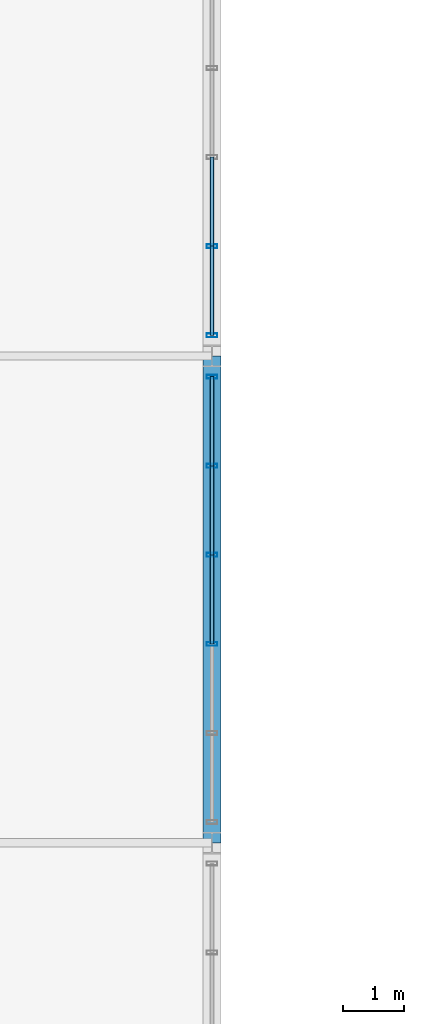
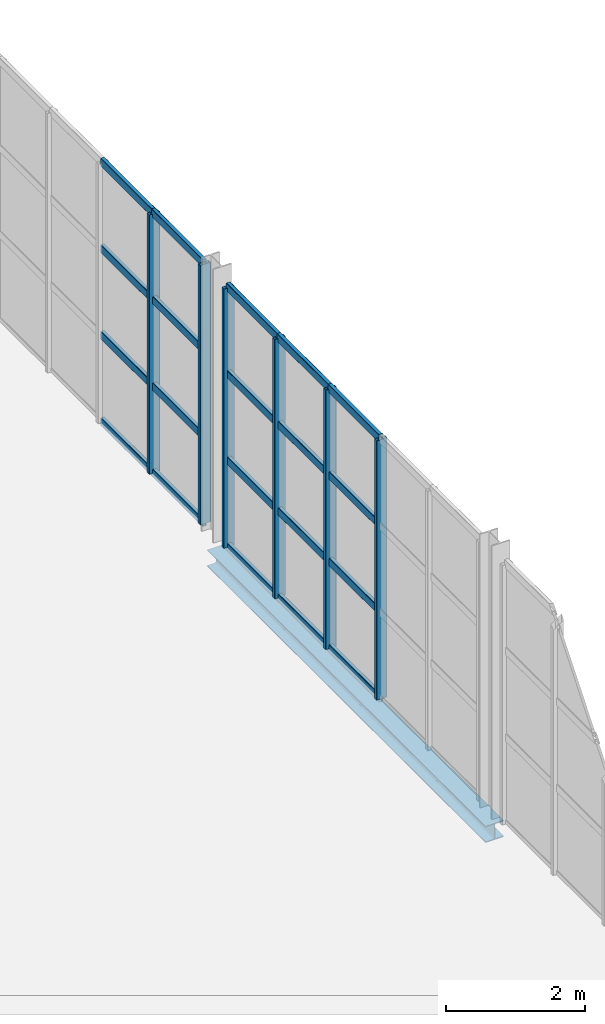
# One storey, part 67 of 143: 26 members, 1 beam, 2 elements without a shape of their own.
"""IFC4 building model written with IfcOpenShell, lengths in metres."""

from ifc_helpers import new_model, si_unit, derived_unit, direction, frame, origin, origin_2d, place, context, subcontext, project, spatial, hollow_rectangle, i_section, extrude, material, material_profile, profile_set, type_object, element, aggregate, save


model = new_model("IFC4")

# Units and contexts
model_context = context("Model", 3, precision=1e-05, world=origin(), true_north=direction((0.0, 1.0)))
body_context = subcontext(model_context, "Body", "Model", "MODEL_VIEW")
ifc_project = project(units=[si_unit("LENGTHUNIT", "METRE"), si_unit("AREAUNIT", "SQUARE_METRE"), si_unit("VOLUMEUNIT", "CUBIC_METRE"), si_unit("PLANEANGLEUNIT", "RADIAN"), si_unit("MASSUNIT", "GRAM", prefix="KILO"), derived_unit("THERMALTRANSMITTANCEUNIT", [(si_unit("POWERUNIT", "WATT"), 1), (si_unit("LENGTHUNIT", "METRE"), -2), (si_unit("THERMODYNAMICTEMPERATUREUNIT", "KELVIN"), -1)])], contexts=[model_context])

# Site, building, storey
site_placement = place(None, origin())
site = spatial("IfcSite", under=ifc_project, at=site_placement, CompositionType="ELEMENT")
building_placement = place(site_placement, origin())
building = spatial("IfcBuilding", under=site, at=building_placement, Name="Keldorne Ridge Multi-Sports Centre", CompositionType="ELEMENT")
storey_placement = place(building_placement, frame((0.0, 0.0, 4.800048828125)))
storey = spatial("IfcBuildingStorey", under=building, at=storey_placement, Name="L01", CompositionType="ELEMENT", Elevation=4.800048828125)

# Beam
ifc_material_1 = material(Name="Steel S355", Category="steel")
ifc_material_profile_1 = material_profile(ifc_material_1, i_section(OverallWidth=0.300048828125, OverallDepth=0.2900390625, WebThickness=0.008544921875, FlangeThickness=0.013916015625, FilletRadius=0.027099609375, at=origin_2d()), Name="HEA 300")
ifc_profile_set_1 = profile_set([ifc_material_profile_1], Name="Steel S355")
beam_type = type_object("IfcBeamType", Name="BM-SP-04", PredefinedType="SPANDREL", material=ifc_profile_set_1)
beam_placement = place(storey_placement, frame((42.0, 98.0, -0.3701171875), z_axis=(0.0, 1.0, 0.0), x_axis=(-1.0, 0.0, 0.0)))
element("IfcBeam", 1, at=beam_placement, inside=storey, type_object=beam_type, Name="Climbing east spandrel L01.4", PredefinedType="SPANDREL", context=body_context, shape_type="SweptSolid", body=[
    extrude(i_section(OverallWidth=0.300048828125, OverallDepth=0.2900390625, WebThickness=0.008544921875, FlangeThickness=0.013916015625, FilletRadius=0.027099609375, at=origin_2d()), origin(), (0.0, 0.0, 1.0), 8.0),
])

# Curtain wall, members
ifc_material_2 = material(Name="Anodized aluminium", Category="aluminium")
curtain_wall_type_1 = type_object("IfcCurtainWallType", Name="CW-CW-04", PredefinedType="NOTDEFINED", material=ifc_material_2)
curtain_wall_1_placement = place(storey_placement, origin())
curtain_wall_1 = element("IfcCurtainWall", 2, at=curtain_wall_1_placement, inside=storey, type_object=curtain_wall_type_1, Name="Climbing east courtyard glazing L01 068", PredefinedType="NOTDEFINED")
ifc_material_profile_2 = material_profile(ifc_material_2, hollow_rectangle(XDim=0.06494140625, YDim=0.179931640625, WallThickness=0.00439453125, InnerFilletRadius=0.00439453125, OuterFilletRadius=0.009033203125, at=origin_2d()), Name="ALU MULLION 180x65x4.5")
ifc_profile_set_2 = profile_set([ifc_material_profile_2], Name="Anodized aluminium")
member_type_1 = type_object("IfcMemberType", Name="MEM-ML-01", PredefinedType="MULLION", material=ifc_profile_set_2)
member_1_placement = place(storey_placement, frame((42.0, 101.26806640625, 0.0), z_axis=(0.0, 0.0, 1.0), x_axis=(0.0, 1.0, 0.0)))
member_1 = element("IfcMember", 3, at=member_1_placement, type_object=member_type_1, Name="CW-068 vertical mullion 3", PredefinedType="MULLION", context=body_context, shape_type="SweptSolid", body=[
    extrude(hollow_rectangle(XDim=0.06494140625, YDim=0.179931640625, WallThickness=0.00439453125, InnerFilletRadius=0.00439453125, OuterFilletRadius=0.009033203125, at=origin_2d()), origin(), (0.0, 0.0, 1.0), 4.550048828125),
])
member_2_placement = place(storey_placement, frame((42.0, 102.73193359375, 0.0), z_axis=(0.0, 0.0, 1.0), x_axis=(0.0, 1.0, 0.0)))
member_2 = element("IfcMember", 4, at=member_2_placement, type_object=member_type_1, Name="CW-068 vertical mullion 4", PredefinedType="MULLION", context=body_context, shape_type="SweptSolid", body=[
    extrude(hollow_rectangle(XDim=0.06494140625, YDim=0.179931640625, WallThickness=0.00439453125, InnerFilletRadius=0.00439453125, OuterFilletRadius=0.009033203125, at=origin_2d()), origin(), (0.0, 0.0, 1.0), 4.550048828125),
])
member_3_placement = place(storey_placement, frame((42.0, 104.196044921875, 0.0), z_axis=(0.0, 0.0, 1.0), x_axis=(0.0, 1.0, 0.0)))
member_3 = element("IfcMember", 5, at=member_3_placement, type_object=member_type_1, Name="CW-068 vertical mullion 5", PredefinedType="MULLION", context=body_context, shape_type="SweptSolid", body=[
    extrude(hollow_rectangle(XDim=0.06494140625, YDim=0.179931640625, WallThickness=0.00439453125, InnerFilletRadius=0.00439453125, OuterFilletRadius=0.009033203125, at=origin_2d()), origin(), (0.0, 0.0, 1.0), 4.550048828125),
])
member_4_placement = place(storey_placement, frame((42.0, 105.659912109375, 0.0), z_axis=(0.0, 0.0, 1.0), x_axis=(0.0, 1.0, 0.0)))
member_4 = element("IfcMember", 6, at=member_4_placement, type_object=member_type_1, Name="CW-068 vertical mullion 6", PredefinedType="MULLION", context=body_context, shape_type="SweptSolid", body=[
    extrude(hollow_rectangle(XDim=0.06494140625, YDim=0.179931640625, WallThickness=0.00439453125, InnerFilletRadius=0.00439453125, OuterFilletRadius=0.009033203125, at=origin_2d()), origin(), (0.0, 0.0, 1.0), 4.550048828125),
])

curtain_wall_type_2 = type_object("IfcCurtainWallType", Name="CW-CW-07", PredefinedType="NOTDEFINED", material=ifc_material_2)
curtain_wall_2_placement = place(storey_placement, origin())
curtain_wall_2 = element("IfcCurtainWall", 7, at=curtain_wall_2_placement, inside=storey, type_object=curtain_wall_type_2, Name="Climbing east courtyard glazing L01 071", PredefinedType="NOTDEFINED")
member_5_placement = place(storey_placement, frame((42.0, 106.340087890625, 0.0), z_axis=(0.0, 0.0, 1.0), x_axis=(0.0, 1.0, 0.0)))
member_5 = element("IfcMember", 8, at=member_5_placement, type_object=member_type_1, Name="CW-071 vertical mullion 1", PredefinedType="MULLION", context=body_context, shape_type="SweptSolid", body=[
    extrude(hollow_rectangle(XDim=0.06494140625, YDim=0.179931640625, WallThickness=0.00439453125, InnerFilletRadius=0.00439453125, OuterFilletRadius=0.009033203125, at=origin_2d()), origin(), (0.0, 0.0, 1.0), 4.550048828125),
])
member_6_placement = place(storey_placement, frame((42.0, 107.803955078125, 0.0), z_axis=(0.0, 0.0, 1.0), x_axis=(0.0, 1.0, 0.0)))
member_6 = element("IfcMember", 9, at=member_6_placement, type_object=member_type_1, Name="CW-071 vertical mullion 2", PredefinedType="MULLION", context=body_context, shape_type="SweptSolid", body=[
    extrude(hollow_rectangle(XDim=0.06494140625, YDim=0.179931640625, WallThickness=0.00439453125, InnerFilletRadius=0.00439453125, OuterFilletRadius=0.009033203125, at=origin_2d()), origin(), (0.0, 0.0, 1.0), 4.550048828125),
])

# Member
ifc_material_profile_3 = material_profile(ifc_material_2, hollow_rectangle(XDim=0.06494140625, YDim=0.139892578125, WallThickness=0.00439453125, InnerFilletRadius=0.00439453125, OuterFilletRadius=0.009033203125, at=origin_2d()), Name="ALU TRANSOM 140x65x4.5")
ifc_profile_set_3 = profile_set([ifc_material_profile_3], Name="Anodized aluminium")
member_type_2 = type_object("IfcMemberType", Name="MEM-TR-01", PredefinedType="USERDEFINED", material=ifc_profile_set_3)
member_7_placement = place(storey_placement, frame((42.0, 101.26806640625, 0.0), z_axis=(0.0, 1.0, 0.0), x_axis=(-1.0, 0.0, 0.0)))
member_7 = element("IfcMember", 10, at=member_7_placement, type_object=member_type_2, Name="CW-068 transom 3.1", ObjectType="TRANSOM", PredefinedType="USERDEFINED", context=body_context, shape_type="SweptSolid", body=[
    extrude(hollow_rectangle(XDim=0.06494140625, YDim=0.139892578125, WallThickness=0.00439453125, InnerFilletRadius=0.00439453125, OuterFilletRadius=0.009033203125, at=origin_2d()), origin(), (0.0, 0.0, 1.0), 1.4638671875),
])

member_8_placement = place(storey_placement, frame((42.0, 101.26806640625, 1.5166015625), z_axis=(0.0, 1.0, 0.0), x_axis=(-1.0, 0.0, 0.0)))
member_8 = element("IfcMember", 11, at=member_8_placement, type_object=member_type_2, Name="CW-068 transom 3.2", ObjectType="TRANSOM", PredefinedType="USERDEFINED", context=body_context, shape_type="SweptSolid", body=[
    extrude(hollow_rectangle(XDim=0.06494140625, YDim=0.139892578125, WallThickness=0.00439453125, InnerFilletRadius=0.00439453125, OuterFilletRadius=0.009033203125, at=origin_2d()), origin(), (0.0, 0.0, 1.0), 1.4638671875),
])

member_9_placement = place(storey_placement, frame((42.0, 101.26806640625, 3.033203125), z_axis=(0.0, 1.0, 0.0), x_axis=(-1.0, 0.0, 0.0)))
member_9 = element("IfcMember", 12, at=member_9_placement, type_object=member_type_2, Name="CW-068 transom 3.3", ObjectType="TRANSOM", PredefinedType="USERDEFINED", context=body_context, shape_type="SweptSolid", body=[
    extrude(hollow_rectangle(XDim=0.06494140625, YDim=0.139892578125, WallThickness=0.00439453125, InnerFilletRadius=0.00439453125, OuterFilletRadius=0.009033203125, at=origin_2d()), origin(), (0.0, 0.0, 1.0), 1.4638671875),
])

member_10_placement = place(storey_placement, frame((42.0, 101.26806640625, 4.550048828125), z_axis=(0.0, 1.0, 0.0), x_axis=(-1.0, 0.0, 0.0)))
member_10 = element("IfcMember", 13, at=member_10_placement, type_object=member_type_2, Name="CW-068 transom 3.4", ObjectType="TRANSOM", PredefinedType="USERDEFINED", context=body_context, shape_type="SweptSolid", body=[
    extrude(hollow_rectangle(XDim=0.06494140625, YDim=0.139892578125, WallThickness=0.00439453125, InnerFilletRadius=0.00439453125, OuterFilletRadius=0.009033203125, at=origin_2d()), origin(), (0.0, 0.0, 1.0), 1.4638671875),
])

member_11_placement = place(storey_placement, frame((42.0, 102.73193359375, 0.0), z_axis=(0.0, 1.0, 0.0), x_axis=(-1.0, 0.0, 0.0)))
member_11 = element("IfcMember", 14, at=member_11_placement, type_object=member_type_2, Name="CW-068 transom 4.1", ObjectType="TRANSOM", PredefinedType="USERDEFINED", context=body_context, shape_type="SweptSolid", body=[
    extrude(hollow_rectangle(XDim=0.06494140625, YDim=0.139892578125, WallThickness=0.00439453125, InnerFilletRadius=0.00439453125, OuterFilletRadius=0.009033203125, at=origin_2d()), origin(), (0.0, 0.0, 1.0), 1.464111328125),
])

member_12_placement = place(storey_placement, frame((42.0, 102.73193359375, 1.5166015625), z_axis=(0.0, 1.0, 0.0), x_axis=(-1.0, 0.0, 0.0)))
member_12 = element("IfcMember", 15, at=member_12_placement, type_object=member_type_2, Name="CW-068 transom 4.2", ObjectType="TRANSOM", PredefinedType="USERDEFINED", context=body_context, shape_type="SweptSolid", body=[
    extrude(hollow_rectangle(XDim=0.06494140625, YDim=0.139892578125, WallThickness=0.00439453125, InnerFilletRadius=0.00439453125, OuterFilletRadius=0.009033203125, at=origin_2d()), origin(), (0.0, 0.0, 1.0), 1.464111328125),
])

member_13_placement = place(storey_placement, frame((42.0, 102.73193359375, 3.033203125), z_axis=(0.0, 1.0, 0.0), x_axis=(-1.0, 0.0, 0.0)))
member_13 = element("IfcMember", 16, at=member_13_placement, type_object=member_type_2, Name="CW-068 transom 4.3", ObjectType="TRANSOM", PredefinedType="USERDEFINED", context=body_context, shape_type="SweptSolid", body=[
    extrude(hollow_rectangle(XDim=0.06494140625, YDim=0.139892578125, WallThickness=0.00439453125, InnerFilletRadius=0.00439453125, OuterFilletRadius=0.009033203125, at=origin_2d()), origin(), (0.0, 0.0, 1.0), 1.464111328125),
])

member_14_placement = place(storey_placement, frame((42.0, 102.73193359375, 4.550048828125), z_axis=(0.0, 1.0, 0.0), x_axis=(-1.0, 0.0, 0.0)))
member_14 = element("IfcMember", 17, at=member_14_placement, type_object=member_type_2, Name="CW-068 transom 4.4", ObjectType="TRANSOM", PredefinedType="USERDEFINED", context=body_context, shape_type="SweptSolid", body=[
    extrude(hollow_rectangle(XDim=0.06494140625, YDim=0.139892578125, WallThickness=0.00439453125, InnerFilletRadius=0.00439453125, OuterFilletRadius=0.009033203125, at=origin_2d()), origin(), (0.0, 0.0, 1.0), 1.464111328125),
])

member_15_placement = place(storey_placement, frame((42.0, 104.196044921875, 0.0), z_axis=(0.0, 1.0, 0.0), x_axis=(-1.0, 0.0, 0.0)))
member_15 = element("IfcMember", 18, at=member_15_placement, type_object=member_type_2, Name="CW-068 transom 5.1", ObjectType="TRANSOM", PredefinedType="USERDEFINED", context=body_context, shape_type="SweptSolid", body=[
    extrude(hollow_rectangle(XDim=0.06494140625, YDim=0.139892578125, WallThickness=0.00439453125, InnerFilletRadius=0.00439453125, OuterFilletRadius=0.009033203125, at=origin_2d()), origin(), (0.0, 0.0, 1.0), 1.4638671875),
])

member_16_placement = place(storey_placement, frame((42.0, 104.196044921875, 1.5166015625), z_axis=(0.0, 1.0, 0.0), x_axis=(-1.0, 0.0, 0.0)))
member_16 = element("IfcMember", 19, at=member_16_placement, type_object=member_type_2, Name="CW-068 transom 5.2", ObjectType="TRANSOM", PredefinedType="USERDEFINED", context=body_context, shape_type="SweptSolid", body=[
    extrude(hollow_rectangle(XDim=0.06494140625, YDim=0.139892578125, WallThickness=0.00439453125, InnerFilletRadius=0.00439453125, OuterFilletRadius=0.009033203125, at=origin_2d()), origin(), (0.0, 0.0, 1.0), 1.4638671875),
])

member_17_placement = place(storey_placement, frame((42.0, 104.196044921875, 3.033203125), z_axis=(0.0, 1.0, 0.0), x_axis=(-1.0, 0.0, 0.0)))
member_17 = element("IfcMember", 20, at=member_17_placement, type_object=member_type_2, Name="CW-068 transom 5.3", ObjectType="TRANSOM", PredefinedType="USERDEFINED", context=body_context, shape_type="SweptSolid", body=[
    extrude(hollow_rectangle(XDim=0.06494140625, YDim=0.139892578125, WallThickness=0.00439453125, InnerFilletRadius=0.00439453125, OuterFilletRadius=0.009033203125, at=origin_2d()), origin(), (0.0, 0.0, 1.0), 1.4638671875),
])

member_18_placement = place(storey_placement, frame((42.0, 104.196044921875, 4.550048828125), z_axis=(0.0, 1.0, 0.0), x_axis=(-1.0, 0.0, 0.0)))
member_18 = element("IfcMember", 21, at=member_18_placement, type_object=member_type_2, Name="CW-068 transom 5.4", ObjectType="TRANSOM", PredefinedType="USERDEFINED", context=body_context, shape_type="SweptSolid", body=[
    extrude(hollow_rectangle(XDim=0.06494140625, YDim=0.139892578125, WallThickness=0.00439453125, InnerFilletRadius=0.00439453125, OuterFilletRadius=0.009033203125, at=origin_2d()), origin(), (0.0, 0.0, 1.0), 1.4638671875),
])

aggregate(curtain_wall_1, [member_1, member_2, member_3, member_4, member_7, member_8, member_9, member_10, member_11, member_12, member_13, member_14, member_15, member_16, member_17, member_18])

member_19_placement = place(storey_placement, frame((42.0, 106.340087890625, 0.0), z_axis=(0.0, 1.0, 0.0), x_axis=(-1.0, 0.0, 0.0)))
member_19 = element("IfcMember", 22, at=member_19_placement, type_object=member_type_2, Name="CW-071 transom 1.1", ObjectType="TRANSOM", PredefinedType="USERDEFINED", context=body_context, shape_type="SweptSolid", body=[
    extrude(hollow_rectangle(XDim=0.06494140625, YDim=0.139892578125, WallThickness=0.00439453125, InnerFilletRadius=0.00439453125, OuterFilletRadius=0.009033203125, at=origin_2d()), origin(), (0.0, 0.0, 1.0), 1.4638671875),
])

member_20_placement = place(storey_placement, frame((42.0, 106.340087890625, 1.5166015625), z_axis=(0.0, 1.0, 0.0), x_axis=(-1.0, 0.0, 0.0)))
member_20 = element("IfcMember", 23, at=member_20_placement, type_object=member_type_2, Name="CW-071 transom 1.2", ObjectType="TRANSOM", PredefinedType="USERDEFINED", context=body_context, shape_type="SweptSolid", body=[
    extrude(hollow_rectangle(XDim=0.06494140625, YDim=0.139892578125, WallThickness=0.00439453125, InnerFilletRadius=0.00439453125, OuterFilletRadius=0.009033203125, at=origin_2d()), origin(), (0.0, 0.0, 1.0), 1.4638671875),
])

member_21_placement = place(storey_placement, frame((42.0, 106.340087890625, 3.033203125), z_axis=(0.0, 1.0, 0.0), x_axis=(-1.0, 0.0, 0.0)))
member_21 = element("IfcMember", 24, at=member_21_placement, type_object=member_type_2, Name="CW-071 transom 1.3", ObjectType="TRANSOM", PredefinedType="USERDEFINED", context=body_context, shape_type="SweptSolid", body=[
    extrude(hollow_rectangle(XDim=0.06494140625, YDim=0.139892578125, WallThickness=0.00439453125, InnerFilletRadius=0.00439453125, OuterFilletRadius=0.009033203125, at=origin_2d()), origin(), (0.0, 0.0, 1.0), 1.4638671875),
])

member_22_placement = place(storey_placement, frame((42.0, 106.340087890625, 4.550048828125), z_axis=(0.0, 1.0, 0.0), x_axis=(-1.0, 0.0, 0.0)))
member_22 = element("IfcMember", 25, at=member_22_placement, type_object=member_type_2, Name="CW-071 transom 1.4", ObjectType="TRANSOM", PredefinedType="USERDEFINED", context=body_context, shape_type="SweptSolid", body=[
    extrude(hollow_rectangle(XDim=0.06494140625, YDim=0.139892578125, WallThickness=0.00439453125, InnerFilletRadius=0.00439453125, OuterFilletRadius=0.009033203125, at=origin_2d()), origin(), (0.0, 0.0, 1.0), 1.4638671875),
])

member_23_placement = place(storey_placement, frame((42.0, 107.803955078125, 0.0), z_axis=(0.0, 1.0, 0.0), x_axis=(-1.0, 0.0, 0.0)))
member_23 = element("IfcMember", 26, at=member_23_placement, type_object=member_type_2, Name="CW-071 transom 2.1", ObjectType="TRANSOM", PredefinedType="USERDEFINED", context=body_context, shape_type="SweptSolid", body=[
    extrude(hollow_rectangle(XDim=0.06494140625, YDim=0.139892578125, WallThickness=0.00439453125, InnerFilletRadius=0.00439453125, OuterFilletRadius=0.009033203125, at=origin_2d()), origin(), (0.0, 0.0, 1.0), 1.464111328125),
])

member_24_placement = place(storey_placement, frame((42.0, 107.803955078125, 1.5166015625), z_axis=(0.0, 1.0, 0.0), x_axis=(-1.0, 0.0, 0.0)))
member_24 = element("IfcMember", 27, at=member_24_placement, type_object=member_type_2, Name="CW-071 transom 2.2", ObjectType="TRANSOM", PredefinedType="USERDEFINED", context=body_context, shape_type="SweptSolid", body=[
    extrude(hollow_rectangle(XDim=0.06494140625, YDim=0.139892578125, WallThickness=0.00439453125, InnerFilletRadius=0.00439453125, OuterFilletRadius=0.009033203125, at=origin_2d()), origin(), (0.0, 0.0, 1.0), 1.464111328125),
])

member_25_placement = place(storey_placement, frame((42.0, 107.803955078125, 3.033203125), z_axis=(0.0, 1.0, 0.0), x_axis=(-1.0, 0.0, 0.0)))
member_25 = element("IfcMember", 28, at=member_25_placement, type_object=member_type_2, Name="CW-071 transom 2.3", ObjectType="TRANSOM", PredefinedType="USERDEFINED", context=body_context, shape_type="SweptSolid", body=[
    extrude(hollow_rectangle(XDim=0.06494140625, YDim=0.139892578125, WallThickness=0.00439453125, InnerFilletRadius=0.00439453125, OuterFilletRadius=0.009033203125, at=origin_2d()), origin(), (0.0, 0.0, 1.0), 1.464111328125),
])

member_26_placement = place(storey_placement, frame((42.0, 107.803955078125, 4.550048828125), z_axis=(0.0, 1.0, 0.0), x_axis=(-1.0, 0.0, 0.0)))
member_26 = element("IfcMember", 29, at=member_26_placement, type_object=member_type_2, Name="CW-071 transom 2.4", ObjectType="TRANSOM", PredefinedType="USERDEFINED", context=body_context, shape_type="SweptSolid", body=[
    extrude(hollow_rectangle(XDim=0.06494140625, YDim=0.139892578125, WallThickness=0.00439453125, InnerFilletRadius=0.00439453125, OuterFilletRadius=0.009033203125, at=origin_2d()), origin(), (0.0, 0.0, 1.0), 1.464111328125),
])

aggregate(curtain_wall_2, [member_5, member_6, member_19, member_20, member_21, member_22, member_23, member_24, member_25, member_26])

save(model, "model.ifc")
